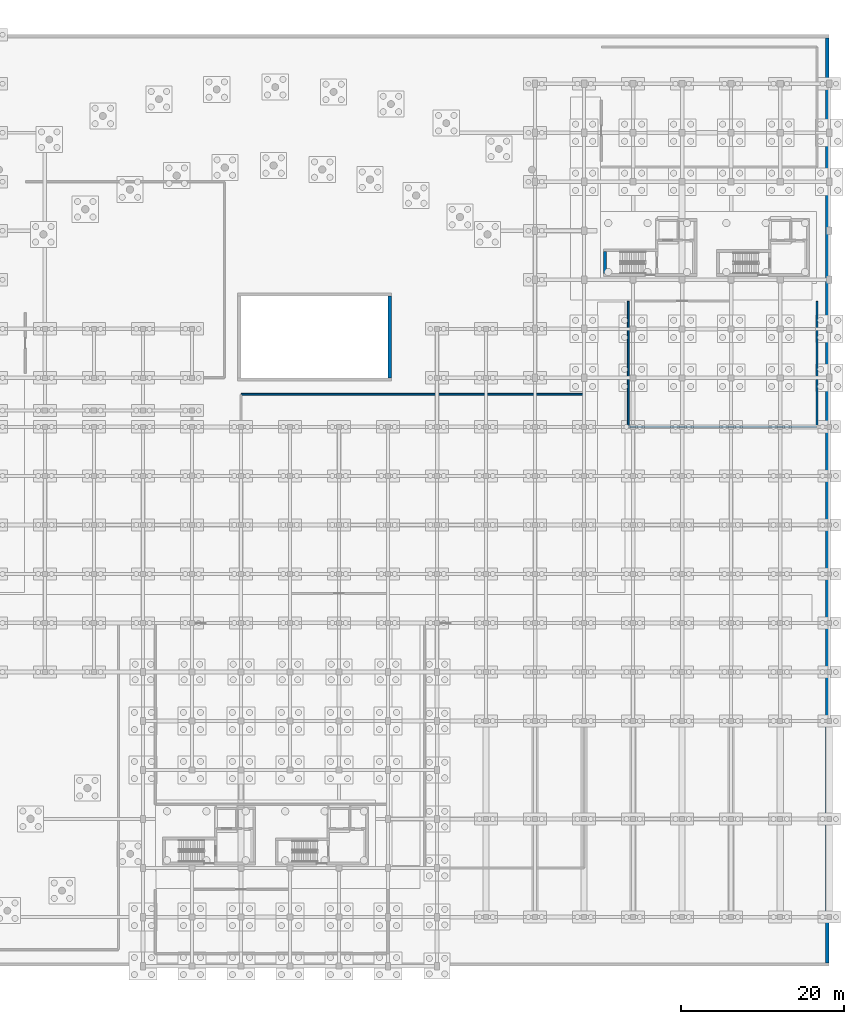
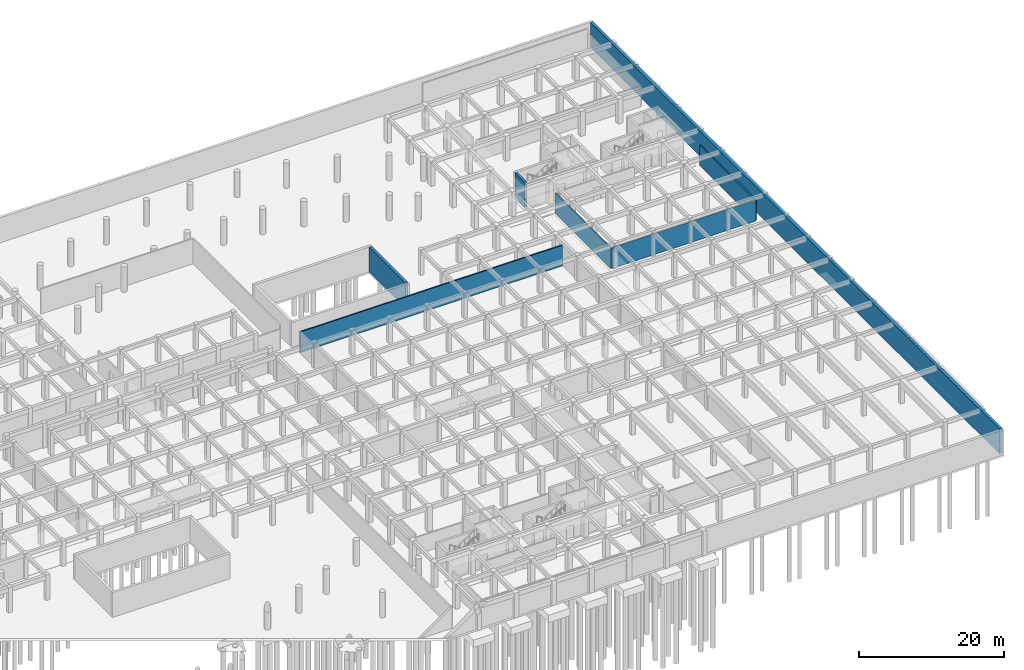
# One storey, part 33 of 41: 7 walls.
"""IFC4 building model written with IfcOpenShell, lengths in metres."""

from ifc_helpers import new_model, si_unit, direction, frame, frame_2d, origin, place, context, subcontext, project, spatial, rectangle, extrude, material, layer, layer_set, type_object, element, save


model = new_model("IFC4")

# Units and contexts
model_context = context("Model", 3, precision=1e-05, world=origin(), true_north=direction((0.0, 1.0)))
body_context = subcontext(model_context, "Body", "Model", "MODEL_VIEW")
ifc_project = project(units=[si_unit("LENGTHUNIT", "METRE"), si_unit("AREAUNIT", "SQUARE_METRE"), si_unit("VOLUMEUNIT", "CUBIC_METRE"), si_unit("PLANEANGLEUNIT", "RADIAN"), si_unit("MASSUNIT", "GRAM", prefix="KILO"), si_unit("POWERUNIT", "WATT"), si_unit("THERMODYNAMICTEMPERATUREUNIT", "KELVIN")], contexts=[model_context])

# Site, building, storey
site_placement = place(None, origin())
site = spatial("IfcSite", under=ifc_project, at=site_placement, CompositionType="ELEMENT")
building_placement = place(site_placement, origin())
building = spatial("IfcBuilding", under=site, at=building_placement, Name="Ruvembo Vaulted Housing Court", CompositionType="ELEMENT")
storey_placement = place(building_placement, frame((0.0, 0.0, -4.5)))
storey = spatial("IfcBuildingStorey", under=building, at=storey_placement, Name="B1", CompositionType="ELEMENT", Elevation=-4.5)

# Walls
ifc_material_1 = material(Name="Concrete C35/45", Category="concrete")
ifc_layer_1 = layer(ifc_material_1, 0.35009765625, Name="Concrete C35/45")
ifc_layer_set_1 = layer_set([ifc_layer_1], Name="Concrete C35/45")
wall_type_1 = type_object("IfcWallType", Name="WL-CORE-350", PredefinedType="SHEAR", material=ifc_layer_set_1)
wall_1_placement = place(storey_placement, frame((158.574951171875, 87.449951171875, 0.0), z_axis=(0.0, 0.0, 1.0), x_axis=(0.0, -1.0, 0.0)))
element("IfcWall", 1, at=wall_1_placement, inside=storey, type_object=wall_type_1, Name="Core D1 B1 Stair West Shear Wall", PredefinedType="SHEAR", context=body_context, shape_type="SweptSolid", body=[
    extrude(rectangle(XDim=2.699951171875, YDim=0.35009765625, at=frame_2d((1.35009765625, 0.0))), origin(), (0.0, 0.0, 1.0), 4.215087890625),
])
ifc_material_2 = material(Name="Concrete Blockwork 210", Category="masonry")
ifc_layer_2 = layer(ifc_material_2, 0.2099609375, Name="Concrete Blockwork 210")
ifc_layer_set_2 = layer_set([ifc_layer_2], Name="Concrete Blockwork 210")
wall_type_2 = type_object("IfcWallType", Name="WL-CORR-210", PredefinedType="SOLIDWALL", material=ifc_layer_set_2)
wall_2_placement = place(storey_placement, frame((161.43994140625, 66.0, 0.0), z_axis=(0.0, 0.0, 1.0), x_axis=(1.0, 0.0, 0.0)))
element("IfcWall", 2, at=wall_2_placement, inside=storey, type_object=wall_type_2, Name="B1 Bicycle Storage & Cargo Hub East WL-INT-B1-00026", PredefinedType="SOLIDWALL", context=body_context, shape_type="SweptSolid", body=[
    extrude(rectangle(XDim=23.02001953125, YDim=0.2099609375, at=frame_2d((11.510009765625, 0.0))), origin(), (0.0, 0.0, 1.0), 3.547119140625),
])
for number, where, z_axis, x_axis, name in (
    (3, (184.5, 66.0400390625, 0.0), (0.0, 0.0, 1.0), (0.0, 1.0, 0.0), "B1 Bicycle Storage & Cargo Hub East WL-INT-B1-00027"),
    (4, (161.39990234375, 81.360107421875, 0.0), (0.0, 0.0, 1.0), (0.0, -1.0, 0.0), "B1 Bicycle Storage & Cargo Hub East WL-INT-B1-00028"),
):
    element("IfcWall", number, at=place(storey_placement, frame(where, z_axis=z_axis, x_axis=x_axis)), inside=storey, type_object=wall_type_2, Name=name, PredefinedType="SOLIDWALL", context=body_context, shape_type="SweptSolid", body=[
        extrude(rectangle(XDim=15.320068359375, YDim=0.2099609375, at=frame_2d((7.66015625, 0.0))), origin(), (0.0, 0.0, 1.0), 3.447021484375),
    ])
wall_3_placement = place(storey_placement, frame((155.9599609375, 70.0, 0.0), z_axis=(0.0, 0.0, 1.0), x_axis=(-1.0, 0.0, 0.0)))
element("IfcWall", 5, at=wall_3_placement, inside=storey, type_object=wall_type_2, Name="B1 Cooperative Food & Seed Preservation Vault WL-INT-B1-00054", PredefinedType="SOLIDWALL", context=body_context, shape_type="SweptSolid", body=[
    extrude(rectangle(XDim=41.919921875, YDim=0.2099609375, at=frame_2d((20.9599609375, 0.0))), origin(), (0.0, 0.0, 1.0), 3.4970703125),
])
ifc_layer_3 = layer(ifc_material_1, 0.39990234375, Name="Concrete C35/45")
ifc_layer_set_3 = layer_set([ifc_layer_3], Name="Concrete C35/45")
wall_type_3 = type_object("IfcWallType", Name="WL-RET-400", PredefinedType="USERDEFINED", material=ifc_layer_set_3)
wall_4_placement = place(storey_placement, frame((132.199951171875, 82.0, 0.0), z_axis=(0.0, 0.0, 1.0), x_axis=(0.0, -1.0, 0.0)))
element("IfcWall", 6, at=wall_4_placement, inside=storey, type_object=wall_type_3, Name="North-East Markhamia Court Tree-Pit Retaining Wall E", ObjectType="RETAININGWALL", PredefinedType="USERDEFINED", context=body_context, shape_type="SweptSolid", body=[
    extrude(rectangle(XDim=10.0, YDim=0.39990234375, at=frame_2d((5.0, 0.0))), origin(), (0.0, 0.0, 1.0), 4.215087890625),
])
ifc_layer_4 = layer(ifc_material_1, 0.449951171875, Name="Concrete C35/45")
ifc_layer_set_4 = layer_set([ifc_layer_4], Name="Concrete C35/45")
wall_type_4 = type_object("IfcWallType", Name="WL-RET-450", PredefinedType="USERDEFINED", material=ifc_layer_set_4)
wall_5_placement = place(storey_placement, frame((185.77490234375, 0.39990234375, 0.0), z_axis=(0.0, 0.0, 1.0), x_axis=(0.0, 1.0, 0.0)))
element("IfcWall", 7, at=wall_5_placement, inside=storey, type_object=wall_type_4, Name="Basement Perimeter Retaining Wall E", ObjectType="RETAININGWALL", PredefinedType="USERDEFINED", context=body_context, shape_type="SweptSolid", body=[
    extrude(rectangle(XDim=113.2001953125, YDim=0.449951171875, at=frame_2d((56.60009765625, 0.0))), origin(), (0.0, 0.0, 1.0), 4.215087890625),
])

save(model, "model.ifc")
